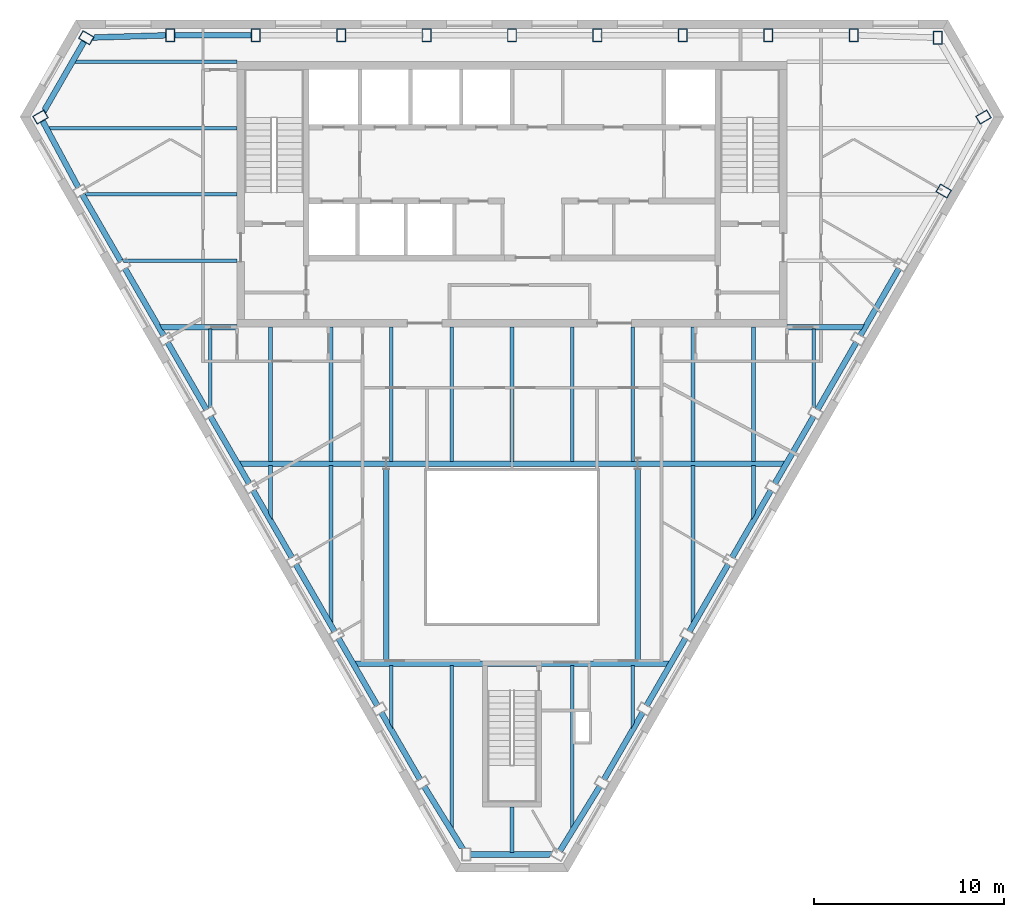
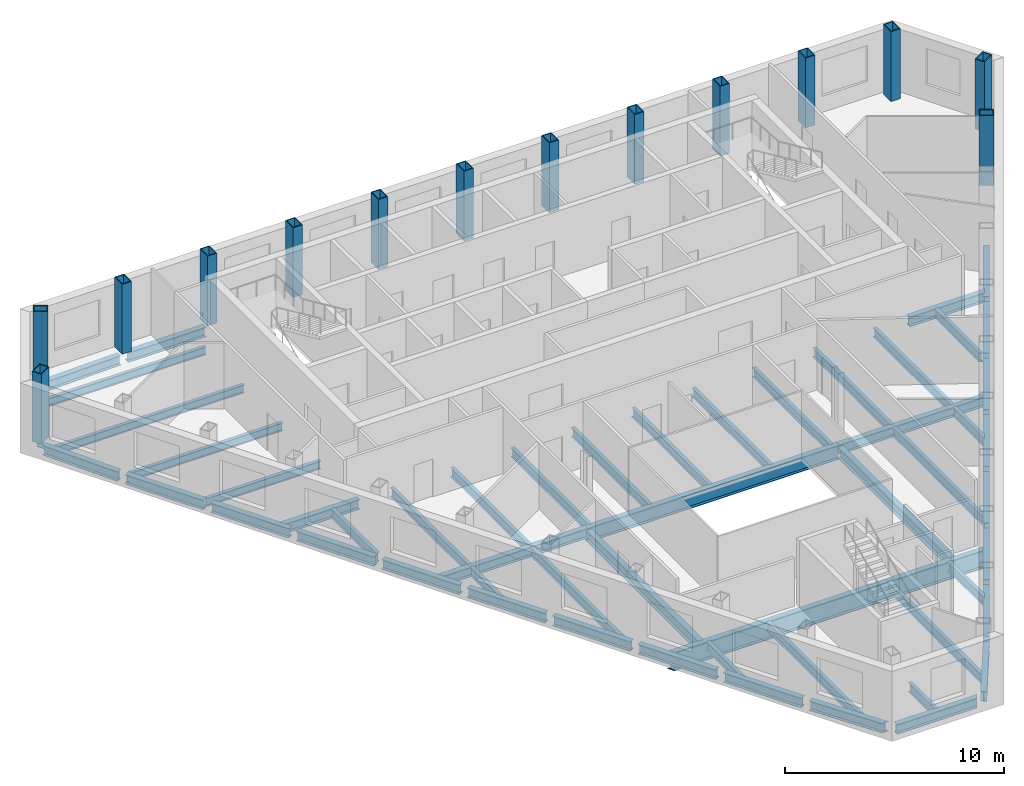
# One storey, part 2 of 10: 54 beams, 14 columns.
"""IFC4 building model written with IfcOpenShell, lengths in metres."""

from ifc_helpers import new_model, si_unit, direction, frame, origin, origin_2d, place, context, subcontext, project, spatial, hollow_rectangle, i_section, extrude, clip, halfspace, material, material_profile, profile_set, type_object, element, save


model = new_model("IFC4")

# Units and contexts
model_context = context("Model", 3, precision=1e-05, world=origin(), true_north=direction((0.0, 1.0)))
body_context = subcontext(model_context, "Body", "Model", "MODEL_VIEW")
ifc_project = project(units=[si_unit("LENGTHUNIT", "METRE"), si_unit("AREAUNIT", "SQUARE_METRE"), si_unit("VOLUMEUNIT", "CUBIC_METRE"), si_unit("PLANEANGLEUNIT", "RADIAN"), si_unit("MASSUNIT", "GRAM", prefix="KILO")], contexts=[model_context])

# Site, building, storey
site_placement = place(None, origin())
site = spatial("IfcSite", under=ifc_project, at=site_placement, CompositionType="ELEMENT")
building_placement = place(site_placement, origin())
building = spatial("IfcBuilding", under=site, at=building_placement, Name="Njiva Tower", CompositionType="ELEMENT")
storey_placement = place(building_placement, frame((0.0, 0.0, 261.0)))
storey = spatial("IfcBuildingStorey", under=building, at=storey_placement, Name="L59", CompositionType="ELEMENT", Elevation=261.0)

# Columns
ifc_material = material(Name="Steel S355 J2", Category="steel")
ifc_material_profile_1 = material_profile(ifc_material, hollow_rectangle(XDim=0.5, YDim=0.7, WallThickness=0.045, at=origin_2d()), Name="BOX 700x500x45")
ifc_profile_set_1 = profile_set([ifc_material_profile_1], Name="Steel S355 J2")
column_type = type_object("IfcColumnType", Name="C13 Perimeter tube column BOX 700x500x45", PredefinedType="COLUMN", material=ifc_profile_set_1)
for number, where, z_axis, x_axis, name in (
    (1, (22.456, 19.267, 0.0), (0.0, 0.0, 1.0), (-1.0, 0.0, 0.0), "Perimeter tube column S19-C01"),
    (2, (18.026, 19.4, 0.0), (0.0, 0.0, 1.0), (-1.0, 0.0, 0.0), "Perimeter tube column S19-C02"),
    (3, (13.52, 19.4, 0.0), (0.0, 0.0, 1.0), (-1.0, 0.0, 0.0), "Perimeter tube column S19-C03"),
    (4, (9.013, 19.4, 0.0), (0.0, 0.0, 1.0), (-1.0, 0.0, 0.0), "Perimeter tube column S19-C04"),
    (5, (4.507, 19.4, 0.0), (0.0, 0.0, 1.0), (-1.0, 0.0, 0.0), "Perimeter tube column S19-C05"),
    (6, (0.0, 19.4, 0.0), (0.0, 0.0, 1.0), (-1.0, 0.0, 0.0), "Perimeter tube column S19-C06"),
    (7, (-4.507, 19.4, 0.0), (0.0, 0.0, 1.0), (-1.0, 0.0, 0.0), "Perimeter tube column S19-C07"),
    (8, (-9.013, 19.4, 0.0), (0.0, 0.0, 1.0), (-1.0, 0.0, 0.0), "Perimeter tube column S19-C08"),
    (9, (-13.52, 19.4, 0.0), (0.0, 0.0, 1.0), (-1.0, 0.0, 0.0), "Perimeter tube column S19-C09"),
    (10, (-18.026, 19.4, 0.0), (0.0, 0.0, 1.0), (-1.0, 0.0, 0.0), "Perimeter tube column S19-C10"),
    (11, (-22.456, 19.267, 0.0), (0.0, 0.0, 1.0), (-0.5, -0.866025403784, 0.0), "Perimeter tube column S19-C11"),
    (12, (-24.873, 15.082, 0.0), (0.0, 0.0, 1.0), (0.5, -0.866025403784, 0.0), "Perimeter tube column S19-C12"),
    (13, (22.773, 11.179, 0.0), (0.0, 0.0, 1.0), (0.5, 0.866025403784, 0.0), "Perimeter tube column S19-C32"),
    (14, (24.873, 15.082, 0.0), (0.0, 0.0, 1.0), (-0.5, 0.866025403784, 0.0), "Perimeter tube column S19-C33"),
):
    element("IfcColumn", number, at=place(storey_placement, frame(where, z_axis=z_axis, x_axis=x_axis)), inside=storey, type_object=column_type, Name=name, PredefinedType="COLUMN", context=body_context, shape_type="SweptSolid", body=[
        extrude(hollow_rectangle(XDim=0.5, YDim=0.7, WallThickness=0.045, at=origin_2d()), origin(), (0.0, 0.0, 1.0), 3.9),
    ])

# Beams
ifc_material_profile_2 = material_profile(ifc_material, i_section(OverallWidth=0.3, OverallDepth=0.59, WebThickness=0.013, FlangeThickness=0.025, at=origin_2d()), Name="HEA 600")
ifc_profile_set_2 = profile_set([ifc_material_profile_2], Name="Steel S355 J2")
beam_type_1 = type_object("IfcBeamType", Name="B30 Long-span atrium trimmer beam HEA 600", PredefinedType="BEAM", material=ifc_profile_set_2)
for number, where, z_axis, x_axis, name in (
    (15, (6.63, -13.649, -0.495), (0.0, 1.0, 0.0), (-1.0, 0.0, 0.0), "Long-span atrium trimmer beam S19-B065"),
    (16, (-6.63, -3.45, -0.495), (0.0, -1.0, 0.0), (1.0, 0.0, 0.0), "Long-span atrium trimmer beam S19-B062"),
):
    element("IfcBeam", number, at=place(storey_placement, frame(where, z_axis=z_axis, x_axis=x_axis)), inside=storey, type_object=beam_type_1, Name=name, PredefinedType="BEAM", context=body_context, shape_type="SweptSolid", body=[
        extrude(i_section(OverallWidth=0.3, OverallDepth=0.59, WebThickness=0.013, FlangeThickness=0.025, at=origin_2d()), origin(), (0.0, 0.0, 1.0), 10.199),
    ])
ifc_material_profile_3 = material_profile(ifc_material, i_section(OverallWidth=0.19, OverallDepth=0.45, WebThickness=0.0094, FlangeThickness=0.0146, at=origin_2d()), Name="IPE 450")
ifc_profile_set_3 = profile_set([ifc_material_profile_3], Name="Steel S355 J2")
beam_type_2 = type_object("IfcBeamType", Name="B37 Floor beam to the core IPE 450", PredefinedType="BEAM", material=ifc_profile_set_3)
beam_1_placement = place(storey_placement, frame((-20.608, 7.5, -0.425), z_axis=(1.0, 0.0, 0.0), x_axis=(0.0, 1.0, 0.0)))
element("IfcBeam", 17, at=beam_1_placement, inside=storey, type_object=beam_type_2, Name="Floor beam to the core S19-B005", PredefinedType="BEAM", context=body_context, shape_type="Clipping", body=[
    clip(extrude(i_section(OverallWidth=0.19, OverallDepth=0.45, WebThickness=0.0094, FlangeThickness=0.0146, at=origin_2d()), origin(), (0.0, 0.0, 1.0), 6.108), halfspace(frame((-0.025, 0.0, 0.089), z_axis=(-0.499998009787, 0.0, -0.866026552831), x_axis=(0.0, -1.0, 0.0)), False)),
])
beam_2_placement = place(storey_placement, frame((-22.868, 11.0, -0.425), z_axis=(1.0, 0.0, 0.0), x_axis=(0.0, 1.0, 0.0)))
element("IfcBeam", 18, at=beam_2_placement, inside=storey, type_object=beam_type_2, Name="Floor beam to the core S19-B003", PredefinedType="BEAM", context=body_context, shape_type="Clipping", body=[
    clip(extrude(i_section(OverallWidth=0.19, OverallDepth=0.45, WebThickness=0.0094, FlangeThickness=0.0146, at=origin_2d()), origin(), (0.0, 0.0, 1.0), 8.368), halfspace(frame((0.0433, 0.0, 0.26), z_axis=(0.866026552831, 0.0, -0.499998009787), x_axis=(0.0, -1.0, 0.0)), False)),
])
beam_3_placement = place(storey_placement, frame((-23.147, 18.0, -0.425), z_axis=(1.0, 0.0, 0.0), x_axis=(0.0, 1.0, 0.0)))
element("IfcBeam", 19, at=beam_3_placement, inside=storey, type_object=beam_type_2, Name="Floor beam to the core S19-B002", PredefinedType="BEAM", context=body_context, shape_type="Clipping", body=[
    clip(extrude(i_section(OverallWidth=0.19, OverallDepth=0.45, WebThickness=0.0094, FlangeThickness=0.0146, at=origin_2d()), origin(), (0.0, 0.0, 1.0), 8.647), halfspace(frame((0.025, 0.0, 0.0892), z_axis=(0.499998009787, 0.0, -0.866026552831), x_axis=(0.0, -1.0, 0.0)), False)),
])
ifc_material_profile_4 = material_profile(ifc_material, i_section(OverallWidth=0.3, OverallDepth=0.54, WebThickness=0.0125, FlangeThickness=0.024, at=origin_2d()), Name="HEA 550")
ifc_profile_set_4 = profile_set([ifc_material_profile_4], Name="Steel S355 J2")
beam_type_3 = type_object("IfcBeamType", Name="B39 Short-span spandrel beam HEA 550", PredefinedType="SPANDREL", material=ifc_profile_set_4)
beam_4_placement = place(storey_placement, frame((-13.72, 19.4, -0.47), z_axis=(-1.0, 0.0, 0.0), x_axis=(0.0, -1.0, 0.0)))
element("IfcBeam", 20, at=beam_4_placement, inside=storey, type_object=beam_type_3, Name="Short-span spandrel beam S19-B080", PredefinedType="SPANDREL", context=body_context, shape_type="SweptSolid", body=[
    extrude(i_section(OverallWidth=0.3, OverallDepth=0.54, WebThickness=0.0125, FlangeThickness=0.024, at=origin_2d()), origin(), (0.0, 0.0, 1.0), 4.106),
])
beam_5_placement = place(storey_placement, frame((-18.23, 19.394, -0.47), z_axis=(-0.999544251212, -0.030187578057, 0.0), x_axis=(0.030187578057, -0.999544251212, 0.0)))
element("IfcBeam", 21, at=beam_5_placement, inside=storey, type_object=beam_type_3, Name="Short-span spandrel beam S19-B074", PredefinedType="SPANDREL", context=body_context, shape_type="Clipping", body=[
    clip(extrude(i_section(OverallWidth=0.3, OverallDepth=0.54, WebThickness=0.0125, FlangeThickness=0.024, at=origin_2d()), origin(), (0.0, 0.0, 1.0), 3.9888), halfspace(frame((-0.0268, 0.0, 3.859), z_axis=(-0.525913380463, 0.0, 0.850538133331), x_axis=(0.0, 1.0, 0.0)), False)),
])
beam_6_placement = place(storey_placement, frame((-22.556, 19.094, -0.47), z_axis=(-0.500052205539, -0.865995260805, 0.0), x_axis=(0.865995260805, -0.500052205539, 0.0)))
element("IfcBeam", 22, at=beam_6_placement, inside=storey, type_object=beam_type_3, Name="Short-span spandrel beam S19-B070", PredefinedType="SPANDREL", context=body_context, shape_type="Clipping", body=[
    clip(extrude(i_section(OverallWidth=0.3, OverallDepth=0.54, WebThickness=0.0125, FlangeThickness=0.024, at=origin_2d()), origin(), (0.0, 0.0, 1.0), 4.3946), halfspace(frame((-0.0248, 0.0, 4.2724), z_axis=(-0.499949782924, 0.0, 0.866054394686), x_axis=(0.0, 1.0, 0.0)), False)),
])
beam_7_placement = place(storey_placement, frame((-24.776, 14.903, -0.47), z_axis=(0.473655185063, -0.880710375585, 0.0), x_axis=(0.880710375585, 0.473655185063, 0.0)))
element("IfcBeam", 23, at=beam_7_placement, inside=storey, type_object=beam_type_3, Name="Short-span spandrel beam S19-B068", PredefinedType="SPANDREL", context=body_context, shape_type="SweptSolid", body=[
    extrude(i_section(OverallWidth=0.3, OverallDepth=0.54, WebThickness=0.0125, FlangeThickness=0.024, at=origin_2d()), origin(), (0.0, 0.0, 1.0), 4.024),
])
beam_8_placement = place(storey_placement, frame((-22.673, 11.006, -0.47), z_axis=(0.49988405051, -0.866092336905, 0.0), x_axis=(0.866092336905, 0.49988405051, 0.0)))
element("IfcBeam", 24, at=beam_8_placement, inside=storey, type_object=beam_type_3, Name="Short-span spandrel beam S19-B071", PredefinedType="SPANDREL", context=body_context, shape_type="SweptSolid", body=[
    extrude(i_section(OverallWidth=0.3, OverallDepth=0.54, WebThickness=0.0125, FlangeThickness=0.024, at=origin_2d()), origin(), (0.0, 0.0, 1.0), 4.107),
])
beam_9_placement = place(storey_placement, frame((-20.42, 7.103, -0.47), z_axis=(0.500066662559, -0.865986912717, 0.0), x_axis=(0.865986912717, 0.500066662559, 0.0)))
element("IfcBeam", 25, at=beam_9_placement, inside=storey, type_object=beam_type_3, Name="Short-span spandrel beam S19-B075", PredefinedType="SPANDREL", context=body_context, shape_type="SweptSolid", body=[
    extrude(i_section(OverallWidth=0.3, OverallDepth=0.54, WebThickness=0.0125, FlangeThickness=0.024, at=origin_2d()), origin(), (0.0, 0.0, 1.0), 4.1075),
])
beam_10_placement = place(storey_placement, frame((-18.166, 3.2, -0.47), z_axis=(0.49988405051, -0.866092336905, 0.0), x_axis=(0.866092336905, 0.49988405051, 0.0)))
element("IfcBeam", 26, at=beam_10_placement, inside=storey, type_object=beam_type_3, Name="Short-span spandrel beam S19-B077", PredefinedType="SPANDREL", context=body_context, shape_type="SweptSolid", body=[
    extrude(i_section(OverallWidth=0.3, OverallDepth=0.54, WebThickness=0.0125, FlangeThickness=0.024, at=origin_2d()), origin(), (0.0, 0.0, 1.0), 4.107),
])
beam_11_placement = place(storey_placement, frame((-15.913, -0.703, -0.47), z_axis=(0.499989486807, -0.866031473494, 0.0), x_axis=(0.866031473494, 0.499989486807, 0.0)))
element("IfcBeam", 27, at=beam_11_placement, inside=storey, type_object=beam_type_3, Name="Short-span spandrel beam S19-B081", PredefinedType="SPANDREL", context=body_context, shape_type="SweptSolid", body=[
    extrude(i_section(OverallWidth=0.3, OverallDepth=0.54, WebThickness=0.0125, FlangeThickness=0.024, at=origin_2d()), origin(), (0.0, 0.0, 1.0), 4.1061),
])
beam_12_placement = place(storey_placement, frame((-13.66, -4.605, -0.47), z_axis=(0.500066662559, -0.865986912717, 0.0), x_axis=(0.865986912717, 0.500066662559, 0.0)))
element("IfcBeam", 28, at=beam_12_placement, inside=storey, type_object=beam_type_3, Name="Short-span spandrel beam S19-B083", PredefinedType="SPANDREL", context=body_context, shape_type="SweptSolid", body=[
    extrude(i_section(OverallWidth=0.3, OverallDepth=0.54, WebThickness=0.0125, FlangeThickness=0.024, at=origin_2d()), origin(), (0.0, 0.0, 1.0), 4.1075),
])
for number, where, z_axis, x_axis, name in (
    (29, (-11.406, -8.508, -0.47), (0.49988405051, -0.866092336905, 0.0), (0.866092336905, 0.49988405051, 0.0), "Short-span spandrel beam S19-B087"),
    (30, (-9.153, -12.411, -0.47), (0.49988405051, -0.866092336905, 0.0), (0.866092336905, 0.49988405051, 0.0), "Short-span spandrel beam S19-B089"),
):
    element("IfcBeam", number, at=place(storey_placement, frame(where, z_axis=z_axis, x_axis=x_axis)), inside=storey, type_object=beam_type_3, Name=name, PredefinedType="SPANDREL", context=body_context, shape_type="SweptSolid", body=[
        extrude(i_section(OverallWidth=0.3, OverallDepth=0.54, WebThickness=0.0125, FlangeThickness=0.024, at=origin_2d()), origin(), (0.0, 0.0, 1.0), 4.107),
    ])
beam_13_placement = place(storey_placement, frame((-6.9, -16.314, -0.47), z_axis=(0.500066662559, -0.865986912717, 0.0), x_axis=(0.865986912717, 0.500066662559, 0.0)))
element("IfcBeam", 31, at=beam_13_placement, inside=storey, type_object=beam_type_3, Name="Short-span spandrel beam S19-B093", PredefinedType="SPANDREL", context=body_context, shape_type="SweptSolid", body=[
    extrude(i_section(OverallWidth=0.3, OverallDepth=0.54, WebThickness=0.0125, FlangeThickness=0.024, at=origin_2d()), origin(), (0.0, 0.0, 1.0), 4.1075),
])
beam_14_placement = place(storey_placement, frame((-4.639, -20.218, -0.47), z_axis=(0.525910354603, -0.850540004304, 0.0), x_axis=(0.850540004304, 0.525910354603, 0.0)))
element("IfcBeam", 32, at=beam_14_placement, inside=storey, type_object=beam_type_3, Name="Short-span spandrel beam S19-B095", PredefinedType="SPANDREL", context=body_context, shape_type="Clipping", body=[
    clip(extrude(i_section(OverallWidth=0.3, OverallDepth=0.54, WebThickness=0.0125, FlangeThickness=0.024, at=origin_2d()), origin(), (0.0, 0.0, 1.0), 3.9882), halfspace(frame((-0.0267, 0.0, 3.8587), z_axis=(-0.525910354603, 0.0, 0.850540004304), x_axis=(0.0, 1.0, 0.0)), False)),
])
beam_15_placement = place(storey_placement, frame((-2.216, -23.814, -0.47), z_axis=(1.0, 0.0, 0.0), x_axis=(0.0, 1.0, 0.0)))
element("IfcBeam", 33, at=beam_15_placement, inside=storey, type_object=beam_type_3, Name="Short-span spandrel beam S19-B099", PredefinedType="SPANDREL", context=body_context, shape_type="Clipping", body=[
    clip(extrude(i_section(OverallWidth=0.3, OverallDepth=0.54, WebThickness=0.0125, FlangeThickness=0.024, at=origin_2d()), origin(), (0.0, 0.0, 1.0), 4.393), halfspace(frame((-0.0246, 0.0, 4.2714), z_axis=(-0.499998009787, 0.0, 0.866026552831), x_axis=(0.0, 1.0, 0.0)), False)),
])
beam_16_placement = place(storey_placement, frame((2.523, -23.641, -0.47), z_axis=(0.525815559742, 0.850598611058, 0.0), x_axis=(-0.850598611058, 0.525815559742, 0.0)))
element("IfcBeam", 34, at=beam_16_placement, inside=storey, type_object=beam_type_3, Name="Short-span spandrel beam S19-B102", PredefinedType="SPANDREL", context=body_context, shape_type="SweptSolid", body=[
    extrude(i_section(OverallWidth=0.3, OverallDepth=0.54, WebThickness=0.0125, FlangeThickness=0.024, at=origin_2d()), origin(), (0.0, 0.0, 1.0), 4.0242),
])
beam_17_placement = place(storey_placement, frame((4.846, -19.871, -0.47), z_axis=(0.500066662559, 0.865986912717, 0.0), x_axis=(-0.865986912717, 0.500066662559, 0.0)))
element("IfcBeam", 35, at=beam_17_placement, inside=storey, type_object=beam_type_3, Name="Short-span spandrel beam S19-B106", PredefinedType="SPANDREL", context=body_context, shape_type="SweptSolid", body=[
    extrude(i_section(OverallWidth=0.3, OverallDepth=0.54, WebThickness=0.0125, FlangeThickness=0.024, at=origin_2d()), origin(), (0.0, 0.0, 1.0), 4.1075),
])
for number, where, z_axis, x_axis, name in (
    (36, (7.1, -15.968, -0.47), (0.49988405051, 0.866092336905, 0.0), (-0.866092336905, 0.49988405051, 0.0), "Short-span spandrel beam S19-B108"),
    (37, (9.353, -12.065, -0.47), (0.49988405051, 0.866092336905, 0.0), (-0.866092336905, 0.49988405051, 0.0), "Short-span spandrel beam S19-B112"),
):
    element("IfcBeam", number, at=place(storey_placement, frame(where, z_axis=z_axis, x_axis=x_axis)), inside=storey, type_object=beam_type_3, Name=name, PredefinedType="SPANDREL", context=body_context, shape_type="SweptSolid", body=[
        extrude(i_section(OverallWidth=0.3, OverallDepth=0.54, WebThickness=0.0125, FlangeThickness=0.024, at=origin_2d()), origin(), (0.0, 0.0, 1.0), 4.107),
    ])
beam_18_placement = place(storey_placement, frame((11.606, -8.162, -0.47), z_axis=(0.500066662559, 0.865986912717, 0.0), x_axis=(-0.865986912717, 0.500066662559, 0.0)))
element("IfcBeam", 38, at=beam_18_placement, inside=storey, type_object=beam_type_3, Name="Short-span spandrel beam S19-B114", PredefinedType="SPANDREL", context=body_context, shape_type="SweptSolid", body=[
    extrude(i_section(OverallWidth=0.3, OverallDepth=0.54, WebThickness=0.0125, FlangeThickness=0.024, at=origin_2d()), origin(), (0.0, 0.0, 1.0), 4.1075),
])
beam_19_placement = place(storey_placement, frame((13.86, -4.259, -0.47), z_axis=(0.499989486807, 0.866031473494, 0.0), x_axis=(-0.866031473494, 0.499989486807, 0.0)))
element("IfcBeam", 39, at=beam_19_placement, inside=storey, type_object=beam_type_3, Name="Short-span spandrel beam S19-B118", PredefinedType="SPANDREL", context=body_context, shape_type="SweptSolid", body=[
    extrude(i_section(OverallWidth=0.3, OverallDepth=0.54, WebThickness=0.0125, FlangeThickness=0.024, at=origin_2d()), origin(), (0.0, 0.0, 1.0), 4.1061),
])
beam_20_placement = place(storey_placement, frame((16.113, -0.357, -0.47), z_axis=(0.49988405051, 0.866092336905, 0.0), x_axis=(-0.866092336905, 0.49988405051, 0.0)))
element("IfcBeam", 40, at=beam_20_placement, inside=storey, type_object=beam_type_3, Name="Short-span spandrel beam S19-B120", PredefinedType="SPANDREL", context=body_context, shape_type="SweptSolid", body=[
    extrude(i_section(OverallWidth=0.3, OverallDepth=0.54, WebThickness=0.0125, FlangeThickness=0.024, at=origin_2d()), origin(), (0.0, 0.0, 1.0), 4.107),
])
beam_21_placement = place(storey_placement, frame((18.366, 3.546, -0.47), z_axis=(0.500066662559, 0.865986912717, 0.0), x_axis=(-0.865986912717, 0.500066662559, 0.0)))
element("IfcBeam", 41, at=beam_21_placement, inside=storey, type_object=beam_type_3, Name="Short-span spandrel beam S19-B124", PredefinedType="SPANDREL", context=body_context, shape_type="SweptSolid", body=[
    extrude(i_section(OverallWidth=0.3, OverallDepth=0.54, WebThickness=0.0125, FlangeThickness=0.024, at=origin_2d()), origin(), (0.0, 0.0, 1.0), 4.1075),
])
ifc_material_profile_5 = material_profile(ifc_material, i_section(OverallWidth=0.3, OverallDepth=0.54, WebThickness=0.0125, FlangeThickness=0.024, at=origin_2d()), Name="HEA 550")
ifc_profile_set_5 = profile_set([ifc_material_profile_5], Name="Steel S355 J2")
beam_type_4 = type_object("IfcBeamType", Name="B40 Floor girder HEA 550", PredefinedType="BEAM", material=ifc_profile_set_5)
beam_22_placement = place(storey_placement, frame((-14.463, -3.2, -0.47), z_axis=(1.0, 0.0, 0.0), x_axis=(0.0, 1.0, 0.0)))
element("IfcBeam", 42, at=beam_22_placement, inside=storey, type_object=beam_type_4, Name="Floor girder S19-B012", PredefinedType="BEAM", context=body_context, shape_type="Clipping", body=[
    clip(extrude(i_section(OverallWidth=0.3, OverallDepth=0.54, WebThickness=0.0125, FlangeThickness=0.024, at=origin_2d()), origin(), (0.0, 0.0, 1.0), 7.833), halfspace(frame((-0.025, 0.0, 0.1217), z_axis=(-0.499998009787, 0.0, -0.866026552831), x_axis=(0.0, -1.0, 0.0)), False)),
])
beam_23_placement = place(storey_placement, frame((6.63, -3.2, -0.47), z_axis=(1.0, 0.0, 0.0), x_axis=(0.0, 1.0, 0.0)))
element("IfcBeam", 43, at=beam_23_placement, inside=storey, type_object=beam_type_4, Name="Floor girder S19-B013", PredefinedType="BEAM", context=body_context, shape_type="Clipping", body=[
    clip(extrude(i_section(OverallWidth=0.3, OverallDepth=0.54, WebThickness=0.0125, FlangeThickness=0.024, at=origin_2d()), origin(), (0.0, 0.0, 1.0), 7.833), halfspace(frame((-0.025, 0.0, 7.7113), z_axis=(-0.499998009787, 0.0, 0.866026552831), x_axis=(0.0, 1.0, 0.0)), False)),
])
ifc_material_profile_6 = material_profile(ifc_material, i_section(OverallWidth=0.3, OverallDepth=0.54, WebThickness=0.0125, FlangeThickness=0.024, at=origin_2d()), Name="HEA 550")
ifc_profile_set_6 = profile_set([ifc_material_profile_6], Name="Steel S355 J2")
beam_type_5 = type_object("IfcBeamType", Name="B41 Short-span floor girder HEA 550", PredefinedType="BEAM", material=ifc_profile_set_6)
beam_24_placement = place(storey_placement, frame((-18.62, 4.0, -0.47), z_axis=(1.0, 0.0, 0.0), x_axis=(0.0, 1.0, 0.0)))
element("IfcBeam", 44, at=beam_24_placement, inside=storey, type_object=beam_type_5, Name="Short-span floor girder S19-B011", PredefinedType="BEAM", context=body_context, shape_type="Clipping", body=[
    clip(extrude(i_section(OverallWidth=0.3, OverallDepth=0.54, WebThickness=0.0125, FlangeThickness=0.024, at=origin_2d()), origin(), (0.0, 0.0, 1.0), 4.12), halfspace(frame((-0.025, 0.0, 0.1217), z_axis=(-0.499998009787, 0.0, -0.866026552831), x_axis=(0.0, -1.0, 0.0)), False)),
])
beam_25_placement = place(storey_placement, frame((14.5, 4.0, -0.47), z_axis=(1.0, 0.0, 0.0), x_axis=(0.0, 1.0, 0.0)))
element("IfcBeam", 45, at=beam_25_placement, inside=storey, type_object=beam_type_5, Name="Short-span floor girder S19-B014", PredefinedType="BEAM", context=body_context, shape_type="Clipping", body=[
    clip(extrude(i_section(OverallWidth=0.3, OverallDepth=0.54, WebThickness=0.0125, FlangeThickness=0.024, at=origin_2d()), origin(), (0.0, 0.0, 1.0), 4.12), halfspace(frame((-0.025, 0.0, 3.9983), z_axis=(-0.499998009787, 0.0, 0.866026552831), x_axis=(0.0, 1.0, 0.0)), False)),
])
ifc_material_profile_7 = material_profile(ifc_material, i_section(OverallWidth=0.2, OverallDepth=0.5, WebThickness=0.0102, FlangeThickness=0.016, at=origin_2d()), Name="IPE 500")
ifc_profile_set_7 = profile_set([ifc_material_profile_7], Name="Steel S355 J2")
beam_type_6 = type_object("IfcBeamType", Name="B42 Short-span floor joist IPE 500", PredefinedType="JOIST", material=ifc_profile_set_7)
beam_26_placement = place(storey_placement, frame((-15.917, 3.9, -0.45), z_axis=(0.0, -1.0, 0.0), x_axis=(1.0, 0.0, 0.0)))
element("IfcBeam", 46, at=beam_26_placement, inside=storey, type_object=beam_type_6, Name="Short-span floor joist S19-B040", PredefinedType="JOIST", context=body_context, shape_type="Clipping", body=[
    clip(extrude(i_section(OverallWidth=0.2, OverallDepth=0.5, WebThickness=0.0102, FlangeThickness=0.016, at=origin_2d()), origin(), (0.0, 0.0, 1.0), 4.221), halfspace(frame((0.0253, 0.0, 4.129), z_axis=(0.499998009787, 0.0, 0.866026552831), x_axis=(0.0, 1.0, 0.0)), False)),
])
beam_27_placement = place(storey_placement, frame((-12.733, -3.3, -0.45), z_axis=(0.0, -1.0, 0.0), x_axis=(1.0, 0.0, 0.0)))
element("IfcBeam", 47, at=beam_27_placement, inside=storey, type_object=beam_type_6, Name="Short-span floor joist S19-B041", PredefinedType="JOIST", context=body_context, shape_type="Clipping", body=[
    clip(extrude(i_section(OverallWidth=0.2, OverallDepth=0.5, WebThickness=0.0102, FlangeThickness=0.016, at=origin_2d()), origin(), (0.0, 0.0, 1.0), 2.903), halfspace(frame((-0.0436, 0.0, 2.6351), z_axis=(-0.866026552831, 0.0, 0.499998009787), x_axis=(0.0, 1.0, 0.0)), False)),
])
beam_28_placement = place(storey_placement, frame((-6.367, -13.851, -0.45), z_axis=(0.0, -1.0, 0.0), x_axis=(1.0, 0.0, 0.0)))
element("IfcBeam", 48, at=beam_28_placement, inside=storey, type_object=beam_type_6, Name="Short-span floor joist S19-B045", PredefinedType="JOIST", context=body_context, shape_type="Clipping", body=[
    clip(extrude(i_section(OverallWidth=0.2, OverallDepth=0.5, WebThickness=0.0102, FlangeThickness=0.016, at=origin_2d()), origin(), (0.0, 0.0, 1.0), 3.38), halfspace(frame((-0.043, 0.0, 3.1115), z_axis=(-0.866026552831, 0.0, 0.499998009787), x_axis=(0.0, 1.0, 0.0)), False)),
])
beam_29_placement = place(storey_placement, frame((0.0, -21.3, -0.45), z_axis=(0.0, -1.0, 0.0), x_axis=(1.0, 0.0, 0.0)))
element("IfcBeam", 49, at=beam_29_placement, inside=storey, type_object=beam_type_6, Name="Short-span floor joist S19-B049", PredefinedType="JOIST", context=body_context, shape_type="SweptSolid", body=[
    extrude(i_section(OverallWidth=0.2, OverallDepth=0.5, WebThickness=0.0102, FlangeThickness=0.016, at=origin_2d()), origin(), (0.0, 0.0, 1.0), 2.414),
])
beam_30_placement = place(storey_placement, frame((6.367, -13.851, -0.45), z_axis=(0.0, -1.0, 0.0), x_axis=(1.0, 0.0, 0.0)))
element("IfcBeam", 50, at=beam_30_placement, inside=storey, type_object=beam_type_6, Name="Short-span floor joist S19-B053", PredefinedType="JOIST", context=body_context, shape_type="Clipping", body=[
    clip(extrude(i_section(OverallWidth=0.2, OverallDepth=0.5, WebThickness=0.0102, FlangeThickness=0.016, at=origin_2d()), origin(), (0.0, 0.0, 1.0), 3.38), halfspace(frame((0.043, 0.0, 3.1115), z_axis=(0.866026552831, 0.0, 0.499998009787), x_axis=(0.0, 1.0, 0.0)), False)),
])
beam_31_placement = place(storey_placement, frame((12.733, -3.3, -0.45), z_axis=(0.0, -1.0, 0.0), x_axis=(1.0, 0.0, 0.0)))
element("IfcBeam", 51, at=beam_31_placement, inside=storey, type_object=beam_type_6, Name="Short-span floor joist S19-B057", PredefinedType="JOIST", context=body_context, shape_type="Clipping", body=[
    clip(extrude(i_section(OverallWidth=0.2, OverallDepth=0.5, WebThickness=0.0102, FlangeThickness=0.016, at=origin_2d()), origin(), (0.0, 0.0, 1.0), 2.903), halfspace(frame((0.0436, 0.0, 2.6351), z_axis=(0.866026552831, 0.0, 0.499998009787), x_axis=(0.0, 1.0, 0.0)), False)),
])
beam_32_placement = place(storey_placement, frame((15.917, 3.9, -0.45), z_axis=(0.0, -1.0, 0.0), x_axis=(1.0, 0.0, 0.0)))
element("IfcBeam", 52, at=beam_32_placement, inside=storey, type_object=beam_type_6, Name="Short-span floor joist S19-B060", PredefinedType="JOIST", context=body_context, shape_type="Clipping", body=[
    clip(extrude(i_section(OverallWidth=0.2, OverallDepth=0.5, WebThickness=0.0102, FlangeThickness=0.016, at=origin_2d()), origin(), (0.0, 0.0, 1.0), 4.221), halfspace(frame((-0.0253, 0.0, 4.129), z_axis=(-0.499998009787, 0.0, 0.866026552831), x_axis=(0.0, 1.0, 0.0)), False)),
])
ifc_material_profile_8 = material_profile(ifc_material, i_section(OverallWidth=0.2, OverallDepth=0.5, WebThickness=0.0102, FlangeThickness=0.016, at=origin_2d()), Name="IPE 500")
ifc_profile_set_8 = profile_set([ifc_material_profile_8], Name="Steel S355 J2")
beam_type_7 = type_object("IfcBeamType", Name="B43 Floor joist IPE 500", PredefinedType="JOIST", material=ifc_profile_set_8)
for number, where, z_axis, x_axis, name in (
    (53, (-12.733, 3.995, -0.45), (0.0, -1.0, 0.0), (1.0, 0.0, 0.0), "Floor joist S19-B042"),
    (54, (-9.55, 3.995, -0.45), (0.0, -1.0, 0.0), (1.0, 0.0, 0.0), "Floor joist S19-B044"),
):
    element("IfcBeam", number, at=place(storey_placement, frame(where, z_axis=z_axis, x_axis=x_axis)), inside=storey, type_object=beam_type_7, Name=name, PredefinedType="JOIST", context=body_context, shape_type="SweptSolid", body=[
        extrude(i_section(OverallWidth=0.2, OverallDepth=0.5, WebThickness=0.0102, FlangeThickness=0.016, at=origin_2d()), origin(), (0.0, 0.0, 1.0), 7.095),
    ])
beam_33_placement = place(storey_placement, frame((-9.55, -3.3, -0.45), z_axis=(0.0, -1.0, 0.0), x_axis=(1.0, 0.0, 0.0)))
element("IfcBeam", 55, at=beam_33_placement, inside=storey, type_object=beam_type_7, Name="Floor joist S19-B043", PredefinedType="JOIST", context=body_context, shape_type="Clipping", body=[
    clip(extrude(i_section(OverallWidth=0.2, OverallDepth=0.5, WebThickness=0.0102, FlangeThickness=0.016, at=origin_2d()), origin(), (0.0, 0.0, 1.0), 8.417), halfspace(frame((-0.0433, 0.0, 8.1488), z_axis=(-0.866026552831, 0.0, 0.499998009787), x_axis=(0.0, 1.0, 0.0)), False)),
])
for number, where, z_axis, x_axis, name in (
    (56, (-6.367, 3.995, -0.45), (0.0, -1.0, 0.0), (1.0, 0.0, 0.0), "Floor joist S19-B046"),
    (57, (-3.183, 3.995, -0.45), (0.0, -1.0, 0.0), (1.0, 0.0, 0.0), "Floor joist S19-B048"),
):
    element("IfcBeam", number, at=place(storey_placement, frame(where, z_axis=z_axis, x_axis=x_axis)), inside=storey, type_object=beam_type_7, Name=name, PredefinedType="JOIST", context=body_context, shape_type="SweptSolid", body=[
        extrude(i_section(OverallWidth=0.2, OverallDepth=0.5, WebThickness=0.0102, FlangeThickness=0.016, at=origin_2d()), origin(), (0.0, 0.0, 1.0), 7.095),
    ])
beam_34_placement = place(storey_placement, frame((-3.183, -13.851, -0.45), z_axis=(0.0, -1.0, 0.0), x_axis=(1.0, 0.0, 0.0)))
element("IfcBeam", 58, at=beam_34_placement, inside=storey, type_object=beam_type_7, Name="Floor joist S19-B047", PredefinedType="JOIST", context=body_context, shape_type="Clipping", body=[
    clip(extrude(i_section(OverallWidth=0.2, OverallDepth=0.5, WebThickness=0.0102, FlangeThickness=0.016, at=origin_2d()), origin(), (0.0, 0.0, 1.0), 8.713), halfspace(frame((-0.0429, 0.0, 8.4627), z_axis=(-0.850615955969, 0.0, 0.525787500281), x_axis=(0.0, 1.0, 0.0)), False)),
])
for number, where, z_axis, x_axis, name in (
    (59, (0.0, 3.995, -0.45), (0.0, -1.0, 0.0), (1.0, 0.0, 0.0), "Floor joist S19-B050"),
    (60, (3.183, 3.995, -0.45), (0.0, -1.0, 0.0), (1.0, 0.0, 0.0), "Floor joist S19-B052"),
):
    element("IfcBeam", number, at=place(storey_placement, frame(where, z_axis=z_axis, x_axis=x_axis)), inside=storey, type_object=beam_type_7, Name=name, PredefinedType="JOIST", context=body_context, shape_type="SweptSolid", body=[
        extrude(i_section(OverallWidth=0.2, OverallDepth=0.5, WebThickness=0.0102, FlangeThickness=0.016, at=origin_2d()), origin(), (0.0, 0.0, 1.0), 7.095),
    ])
beam_35_placement = place(storey_placement, frame((3.183, -13.851, -0.45), z_axis=(0.0, -1.0, 0.0), x_axis=(1.0, 0.0, 0.0)))
element("IfcBeam", 61, at=beam_35_placement, inside=storey, type_object=beam_type_7, Name="Floor joist S19-B051", PredefinedType="JOIST", context=body_context, shape_type="Clipping", body=[
    clip(extrude(i_section(OverallWidth=0.2, OverallDepth=0.5, WebThickness=0.0102, FlangeThickness=0.016, at=origin_2d()), origin(), (0.0, 0.0, 1.0), 8.713), halfspace(frame((0.0429, 0.0, 8.4627), z_axis=(0.850615955969, 0.0, 0.525787500281), x_axis=(0.0, 1.0, 0.0)), False)),
])
for number, where, z_axis, x_axis, name in (
    (62, (6.367, 3.995, -0.45), (0.0, -1.0, 0.0), (1.0, 0.0, 0.0), "Floor joist S19-B054"),
    (63, (9.55, 3.995, -0.45), (0.0, -1.0, 0.0), (1.0, 0.0, 0.0), "Floor joist S19-B056"),
):
    element("IfcBeam", number, at=place(storey_placement, frame(where, z_axis=z_axis, x_axis=x_axis)), inside=storey, type_object=beam_type_7, Name=name, PredefinedType="JOIST", context=body_context, shape_type="SweptSolid", body=[
        extrude(i_section(OverallWidth=0.2, OverallDepth=0.5, WebThickness=0.0102, FlangeThickness=0.016, at=origin_2d()), origin(), (0.0, 0.0, 1.0), 7.095),
    ])
beam_36_placement = place(storey_placement, frame((9.55, -3.3, -0.45), z_axis=(0.0, -1.0, 0.0), x_axis=(1.0, 0.0, 0.0)))
element("IfcBeam", 64, at=beam_36_placement, inside=storey, type_object=beam_type_7, Name="Floor joist S19-B055", PredefinedType="JOIST", context=body_context, shape_type="Clipping", body=[
    clip(extrude(i_section(OverallWidth=0.2, OverallDepth=0.5, WebThickness=0.0102, FlangeThickness=0.016, at=origin_2d()), origin(), (0.0, 0.0, 1.0), 8.417), halfspace(frame((0.0433, 0.0, 8.1488), z_axis=(0.866026552831, 0.0, 0.499998009787), x_axis=(0.0, 1.0, 0.0)), False)),
])
beam_37_placement = place(storey_placement, frame((12.733, 3.995, -0.45), z_axis=(0.0, -1.0, 0.0), x_axis=(1.0, 0.0, 0.0)))
element("IfcBeam", 65, at=beam_37_placement, inside=storey, type_object=beam_type_7, Name="Floor joist S19-B058", PredefinedType="JOIST", context=body_context, shape_type="SweptSolid", body=[
    extrude(i_section(OverallWidth=0.2, OverallDepth=0.5, WebThickness=0.0102, FlangeThickness=0.016, at=origin_2d()), origin(), (0.0, 0.0, 1.0), 7.095),
])
ifc_material_profile_9 = material_profile(ifc_material, i_section(OverallWidth=0.19, OverallDepth=0.45, WebThickness=0.0094, FlangeThickness=0.0146, at=origin_2d()), Name="IPE 450")
ifc_profile_set_9 = profile_set([ifc_material_profile_9], Name="Steel S355 J2")
beam_type_8 = type_object("IfcBeamType", Name="B45 Long-span floor beam to the core IPE 450", PredefinedType="BEAM", material=ifc_profile_set_9)
beam_38_placement = place(storey_placement, frame((-24.517, 14.5, -0.425), z_axis=(1.0, 0.0, 0.0), x_axis=(0.0, 1.0, 0.0)))
element("IfcBeam", 66, at=beam_38_placement, inside=storey, type_object=beam_type_8, Name="Long-span floor beam to the core S19-B001", PredefinedType="BEAM", context=body_context, shape_type="Clipping", body=[
    clip(extrude(i_section(OverallWidth=0.19, OverallDepth=0.45, WebThickness=0.0094, FlangeThickness=0.0146, at=origin_2d()), origin(), (0.0, 0.0, 1.0), 10.017), halfspace(frame((-0.0237, 0.0, 0.0837), z_axis=(-0.47376166762, 0.0, -0.88065309986), x_axis=(0.0, -1.0, 0.0)), False)),
])
ifc_material_profile_10 = material_profile(ifc_material, i_section(OverallWidth=0.302, OverallDepth=1.008, WebThickness=0.021, FlangeThickness=0.04, at=origin_2d()), Name="HEM 1000")
ifc_profile_set_10 = profile_set([ifc_material_profile_10], Name="Steel S355 J2")
beam_type_9 = type_object("IfcBeamType", Name="B47 Long-span atrium trimmer beam HEM 1000", PredefinedType="BEAM", material=ifc_profile_set_10)
beam_39_placement = place(storey_placement, frame((-8.372, -13.75, -0.704), z_axis=(1.0, 0.0, 0.0), x_axis=(0.0, 1.0, 0.0)))
element("IfcBeam", 67, at=beam_39_placement, inside=storey, type_object=beam_type_9, Name="Long-span atrium trimmer beam S19-B061", PredefinedType="BEAM", context=body_context, shape_type="Clipping", body=[
    clip(clip(extrude(i_section(OverallWidth=0.302, OverallDepth=1.008, WebThickness=0.021, FlangeThickness=0.04, at=origin_2d()), origin(), (0.0, 0.0, 1.0), 16.744), halfspace(frame((-0.025, 0.0, 0.1217), z_axis=(-0.499998009787, 0.0, -0.866026552831), x_axis=(0.0, -1.0, 0.0)), False)), halfspace(frame((-0.025, 0.0, 16.6223), z_axis=(-0.499998009787, 0.0, 0.866026552831), x_axis=(0.0, 1.0, 0.0)), False)),
])
ifc_material_profile_11 = material_profile(ifc_material, i_section(OverallWidth=0.3, OverallDepth=0.79, WebThickness=0.015, FlangeThickness=0.028, at=origin_2d()), Name="HEA 800")
ifc_profile_set_11 = profile_set([ifc_material_profile_11], Name="Steel S355 J2")
beam_type_10 = type_object("IfcBeamType", Name="B9 Long-span atrium trimmer beam HEA 800", PredefinedType="BEAM", material=ifc_profile_set_11)
beam_40_placement = place(storey_placement, frame((6.63, -3.2, -0.595), z_axis=(-1.0, 0.0, 0.0), x_axis=(0.0, -1.0, 0.0)))
element("IfcBeam", 68, at=beam_40_placement, inside=storey, type_object=beam_type_10, Name="Long-span atrium trimmer beam S19-B064", PredefinedType="BEAM", context=body_context, shape_type="SweptSolid", body=[
    extrude(i_section(OverallWidth=0.3, OverallDepth=0.79, WebThickness=0.015, FlangeThickness=0.028, at=origin_2d()), origin(), (0.0, 0.0, 1.0), 13.26),
])

save(model, "model.ifc")
